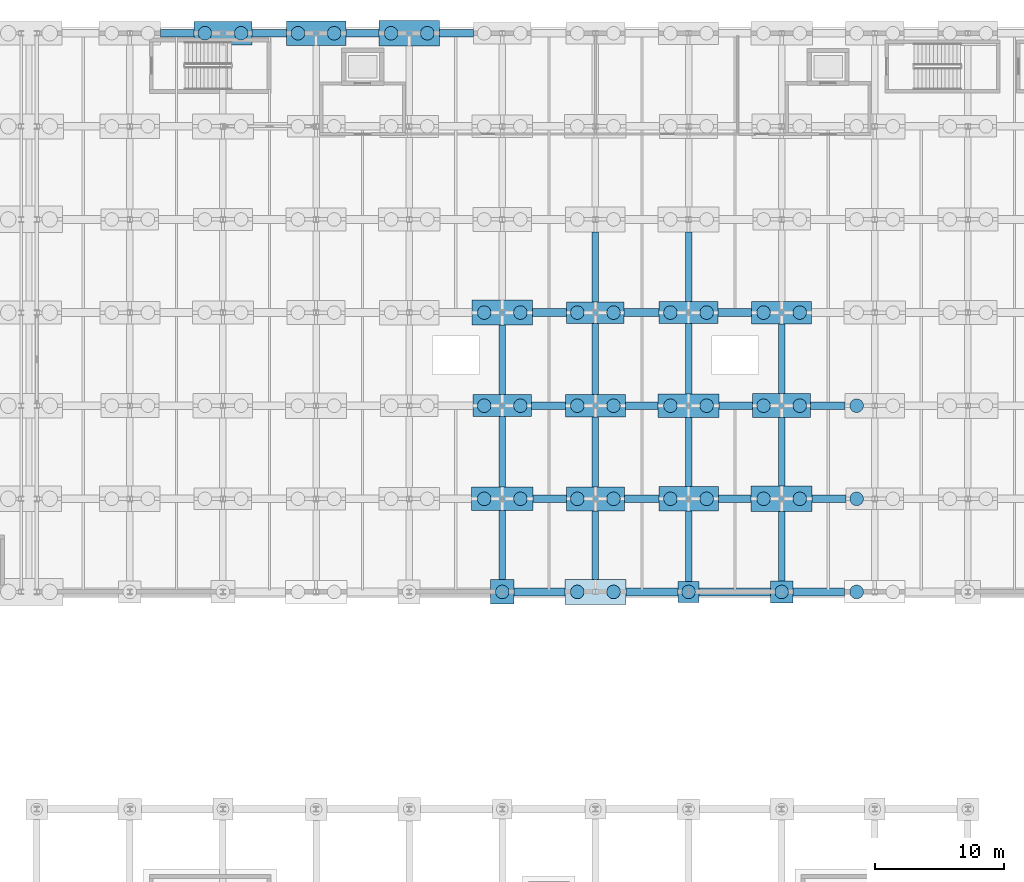
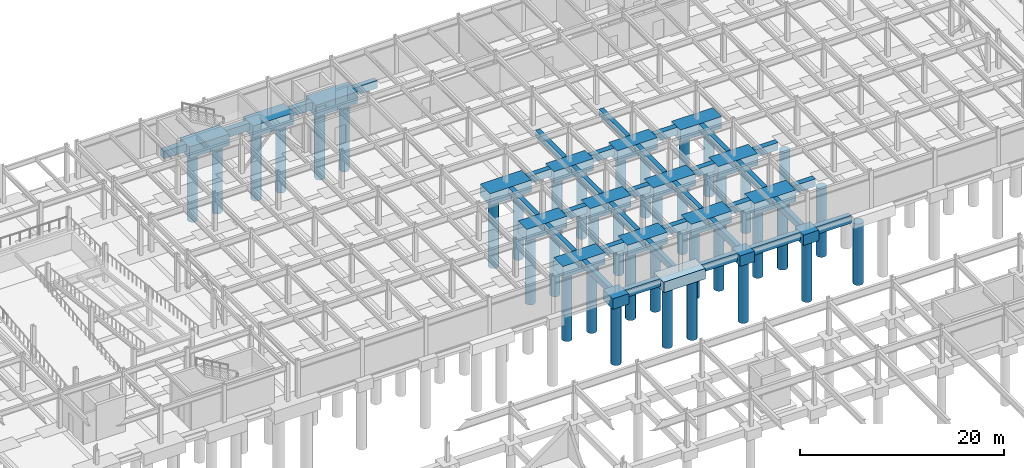
# One storey, part 5 of 54: 52 footings, 38 piles.
"""IFC4 building model written with IfcOpenShell, lengths in metres."""

from ifc_helpers import new_model, si_unit, direction, frame, origin, origin_2d, place, context, subcontext, project, spatial, polyline, rectangle, circle, outline, extrude, material, material_profile, profile_set, type_object, element, save


model = new_model("IFC4")

# Units and contexts
model_context = context("Model", 3, precision=1e-05, world=origin(), true_north=direction((0.0, 1.0)))
body_context = subcontext(model_context, "Body", "Model", "MODEL_VIEW")
ifc_project = project(units=[si_unit("LENGTHUNIT", "METRE"), si_unit("AREAUNIT", "SQUARE_METRE"), si_unit("VOLUMEUNIT", "CUBIC_METRE"), si_unit("PLANEANGLEUNIT", "RADIAN"), si_unit("MASSUNIT", "GRAM", prefix="KILO")], contexts=[model_context])

# Site, building, storey
site_placement = place(None, origin())
site = spatial("IfcSite", under=ifc_project, at=site_placement, CompositionType="ELEMENT")
building_placement = place(site_placement, origin())
building = spatial("IfcBuilding", under=site, at=building_placement, Name="Vaelcorin Mobility Hub", CompositionType="ELEMENT")
storey_placement = place(building_placement, frame((0.0, 0.0, -4.5)))
storey = spatial("IfcBuildingStorey", under=building, at=storey_placement, Name="B1", CompositionType="ELEMENT", Elevation=-4.5)

# Footings
ifc_material = material(Name="Concrete f'c 40 MPa", Category="concrete")
footing_type_1 = type_object("IfcFootingType", Name="FB-500X800", PredefinedType="FOOTING_BEAM", material=ifc_material)
footing_1_placement = place(storey_placement, frame((0.0, 0.0, -0.800048828125)))
element("IfcFooting", 1, at=footing_1_placement, inside=storey, type_object=footing_type_1, Name="Foundation Tie Beam FB-Y-309", PredefinedType="FOOTING_BEAM", context=body_context, shape_type="SweptSolid", body=[
    extrude(outline(polyline([(71.75, 77.75), (72.25, 77.75), (72.25, 83.10009765625), (71.75, 83.10009765625), (71.75, 77.75)])), origin(), (0.0, 0.0, 1.0), 0.800048828125),
])
footing_2_placement = place(storey_placement, frame((0.0, 0.0, -0.800048828125)))
element("IfcFooting", 2, at=footing_2_placement, inside=storey, type_object=footing_type_1, Name="Foundation Tie Beam FB-Y-310", PredefinedType="FOOTING_BEAM", context=body_context, shape_type="SweptSolid", body=[
    extrude(outline(polyline([(71.75, 84.89990234375), (72.25, 84.89990234375), (72.25, 90.35009765625), (71.75, 90.35009765625), (71.75, 84.89990234375)])), origin(), (0.0, 0.0, 1.0), 0.800048828125),
])
footing_3_placement = place(storey_placement, frame((0.0, 0.0, -0.800048828125)))
element("IfcFooting", 3, at=footing_3_placement, inside=storey, type_object=footing_type_1, Name="Foundation Tie Beam FB-Y-311", PredefinedType="FOOTING_BEAM", context=body_context, shape_type="SweptSolid", body=[
    extrude(outline(polyline([(71.75, 92.050048828125), (72.25, 92.050048828125), (72.25, 97.425048828125), (71.75, 97.425048828125), (71.75, 92.050048828125)])), origin(), (0.0, 0.0, 1.0), 0.800048828125),
])
footing_4_placement = place(storey_placement, frame((0.0, 0.0, -0.800048828125)))
element("IfcFooting", 4, at=footing_4_placement, inside=storey, type_object=footing_type_1, Name="Foundation Tie Beam FB-Y-316", PredefinedType="FOOTING_BEAM", context=body_context, shape_type="SweptSolid", body=[
    extrude(outline(polyline([(78.949951171875, 77.77490234375), (79.449951171875, 77.77490234375), (79.449951171875, 83.074951171875), (78.949951171875, 83.074951171875), (78.949951171875, 77.77490234375)])), origin(), (0.0, 0.0, 1.0), 0.800048828125),
])
footing_5_placement = place(storey_placement, frame((0.0, 0.0, -0.800048828125)))
element("IfcFooting", 5, at=footing_5_placement, inside=storey, type_object=footing_type_1, Name="Foundation Tie Beam FB-Y-317", PredefinedType="FOOTING_BEAM", context=body_context, shape_type="SweptSolid", body=[
    extrude(outline(polyline([(78.949951171875, 84.925048828125), (79.449951171875, 84.925048828125), (79.449951171875, 90.324951171875), (78.949951171875, 90.324951171875), (78.949951171875, 84.925048828125)])), origin(), (0.0, 0.0, 1.0), 0.800048828125),
])
footing_6_placement = place(storey_placement, frame((0.0, 0.0, -0.800048828125)))
element("IfcFooting", 6, at=footing_6_placement, inside=storey, type_object=footing_type_1, Name="Foundation Tie Beam FB-Y-318", PredefinedType="FOOTING_BEAM", context=body_context, shape_type="SweptSolid", body=[
    extrude(outline(polyline([(78.949951171875, 92.074951171875), (79.449951171875, 92.074951171875), (79.449951171875, 97.574951171875), (78.949951171875, 97.574951171875), (78.949951171875, 92.074951171875)])), origin(), (0.0, 0.0, 1.0), 0.800048828125),
])
footing_7_placement = place(storey_placement, frame((0.0, 0.0, -0.800048828125)))
element("IfcFooting", 7, at=footing_7_placement, inside=storey, type_object=footing_type_1, Name="Foundation Tie Beam FB-Y-319", PredefinedType="FOOTING_BEAM", context=body_context, shape_type="SweptSolid", body=[
    extrude(outline(polyline([(78.949951171875, 99.22509765625), (79.449951171875, 99.22509765625), (79.449951171875, 104.64990234375), (78.949951171875, 104.64990234375), (78.949951171875, 99.22509765625)])), origin(), (0.0, 0.0, 1.0), 0.800048828125),
])
footing_8_placement = place(storey_placement, frame((0.0, 0.0, -0.800048828125)))
element("IfcFooting", 8, at=footing_8_placement, inside=storey, type_object=footing_type_1, Name="Foundation Tie Beam FB-Y-323", PredefinedType="FOOTING_BEAM", context=body_context, shape_type="SweptSolid", body=[
    extrude(outline(polyline([(86.14990234375, 77.625), (86.64990234375, 77.625), (86.64990234375, 83.050048828125), (86.14990234375, 83.050048828125), (86.14990234375, 77.625)])), origin(), (0.0, 0.0, 1.0), 0.800048828125),
])
footing_9_placement = place(storey_placement, frame((0.0, 0.0, -0.800048828125)))
element("IfcFooting", 9, at=footing_9_placement, inside=storey, type_object=footing_type_1, Name="Foundation Tie Beam FB-Y-324", PredefinedType="FOOTING_BEAM", context=body_context, shape_type="SweptSolid", body=[
    extrude(outline(polyline([(86.14990234375, 84.949951171875), (86.64990234375, 84.949951171875), (86.64990234375, 90.300048828125), (86.14990234375, 90.300048828125), (86.14990234375, 84.949951171875)])), origin(), (0.0, 0.0, 1.0), 0.800048828125),
])
footing_10_placement = place(storey_placement, frame((0.0, 0.0, -0.800048828125)))
element("IfcFooting", 10, at=footing_10_placement, inside=storey, type_object=footing_type_1, Name="Foundation Tie Beam FB-Y-325", PredefinedType="FOOTING_BEAM", context=body_context, shape_type="SweptSolid", body=[
    extrude(outline(polyline([(86.14990234375, 92.10009765625), (86.64990234375, 92.10009765625), (86.64990234375, 97.550048828125), (86.14990234375, 97.550048828125), (86.14990234375, 92.10009765625)])), origin(), (0.0, 0.0, 1.0), 0.800048828125),
])
footing_11_placement = place(storey_placement, frame((0.0, 0.0, -0.800048828125)))
element("IfcFooting", 11, at=footing_11_placement, inside=storey, type_object=footing_type_1, Name="Foundation Tie Beam FB-Y-326", PredefinedType="FOOTING_BEAM", context=body_context, shape_type="SweptSolid", body=[
    extrude(outline(polyline([(86.14990234375, 99.25), (86.64990234375, 99.25), (86.64990234375, 104.625), (86.14990234375, 104.625), (86.14990234375, 99.25)])), origin(), (0.0, 0.0, 1.0), 0.800048828125),
])
footing_12_placement = place(storey_placement, frame((0.0, 0.0, -0.800048828125)))
element("IfcFooting", 12, at=footing_12_placement, inside=storey, type_object=footing_type_1, Name="Foundation Tie Beam FB-Y-330", PredefinedType="FOOTING_BEAM", context=body_context, shape_type="SweptSolid", body=[
    extrude(outline(polyline([(93.35009765625, 77.64990234375), (93.85009765625, 77.64990234375), (93.85009765625, 83.02490234375), (93.35009765625, 83.02490234375), (93.35009765625, 77.64990234375)])), origin(), (0.0, 0.0, 1.0), 0.800048828125),
])
footing_13_placement = place(storey_placement, frame((0.0, 0.0, -0.800048828125)))
element("IfcFooting", 13, at=footing_13_placement, inside=storey, type_object=footing_type_1, Name="Foundation Tie Beam FB-Y-331", PredefinedType="FOOTING_BEAM", context=body_context, shape_type="SweptSolid", body=[
    extrude(outline(polyline([(93.35009765625, 84.97509765625), (93.85009765625, 84.97509765625), (93.85009765625, 90.27490234375), (93.35009765625, 90.27490234375), (93.35009765625, 84.97509765625)])), origin(), (0.0, 0.0, 1.0), 0.800048828125),
])
footing_14_placement = place(storey_placement, frame((0.0, 0.0, -0.800048828125)))
element("IfcFooting", 14, at=footing_14_placement, inside=storey, type_object=footing_type_1, Name="Foundation Tie Beam FB-Y-332", PredefinedType="FOOTING_BEAM", context=body_context, shape_type="SweptSolid", body=[
    extrude(outline(polyline([(93.35009765625, 92.125), (93.85009765625, 92.125), (93.85009765625, 97.52490234375), (93.35009765625, 97.52490234375), (93.35009765625, 92.125)])), origin(), (0.0, 0.0, 1.0), 0.800048828125),
])
footing_type_2 = type_object("IfcFootingType", Name="FB-600X900", PredefinedType="FOOTING_BEAM", material=ifc_material)
footing_15_placement = place(storey_placement, frame((0.0, 0.0, -0.89990234375)))
element("IfcFooting", 15, at=footing_15_placement, inside=storey, type_object=footing_type_2, Name="Foundation Tie Beam FB-X-010", PredefinedType="FOOTING_BEAM", context=body_context, shape_type="SweptSolid", body=[
    extrude(outline(polyline([(72.89990234375, 76.5), (76.85009765625, 76.5), (76.85009765625, 77.10009765625), (72.89990234375, 77.10009765625), (72.89990234375, 76.5)])), origin(), (0.0, 0.0, 1.0), 0.89990234375),
])
footing_16_placement = place(storey_placement, frame((0.0, 0.0, -0.89990234375)))
element("IfcFooting", 16, at=footing_16_placement, inside=storey, type_object=footing_type_2, Name="Foundation Tie Beam FB-X-011", PredefinedType="FOOTING_BEAM", context=body_context, shape_type="SweptSolid", body=[
    extrude(outline(polyline([(81.550048828125, 76.5), (85.574951171875, 76.5), (85.574951171875, 77.10009765625), (81.550048828125, 77.10009765625), (81.550048828125, 76.5)])), origin(), (0.0, 0.0, 1.0), 0.89990234375),
])
footing_17_placement = place(storey_placement, frame((0.0, 0.0, -0.89990234375)))
element("IfcFooting", 17, at=footing_17_placement, inside=storey, type_object=footing_type_2, Name="Foundation Tie Beam FB-X-012", PredefinedType="FOOTING_BEAM", context=body_context, shape_type="SweptSolid", body=[
    extrude(outline(polyline([(87.22509765625, 76.5), (92.72509765625, 76.5), (92.72509765625, 77.10009765625), (87.22509765625, 77.10009765625), (87.22509765625, 76.5)])), origin(), (0.0, 0.0, 1.0), 0.89990234375),
])
footing_18_placement = place(storey_placement, frame((0.0, 0.0, -0.89990234375)))
element("IfcFooting", 18, at=footing_18_placement, inside=storey, type_object=footing_type_2, Name="Foundation Tie Beam FB-X-013", PredefinedType="FOOTING_BEAM", context=body_context, shape_type="SweptSolid", body=[
    extrude(outline(polyline([(94.47509765625, 76.5), (98.47509765625, 76.5), (98.47509765625, 77.10009765625), (94.47509765625, 77.10009765625), (94.47509765625, 76.5)])), origin(), (0.0, 0.0, 1.0), 0.89990234375),
])
footing_19_placement = place(storey_placement, frame((0.0, 0.0, -0.89990234375)))
element("IfcFooting", 19, at=footing_19_placement, inside=storey, type_object=footing_type_2, Name="Foundation Tie Beam FB-X-037", PredefinedType="FOOTING_BEAM", context=body_context, shape_type="SweptSolid", body=[
    extrude(outline(polyline([(74.375, 83.699951171875), (76.949951171875, 83.699951171875), (76.949951171875, 84.300048828125), (74.375, 84.300048828125), (74.375, 83.699951171875)])), origin(), (0.0, 0.0, 1.0), 0.89990234375),
])
footing_20_placement = place(storey_placement, frame((0.0, 0.0, -0.89990234375)))
element("IfcFooting", 20, at=footing_20_placement, inside=storey, type_object=footing_type_2, Name="Foundation Tie Beam FB-X-038", PredefinedType="FOOTING_BEAM", context=body_context, shape_type="SweptSolid", body=[
    extrude(outline(polyline([(81.449951171875, 83.699951171875), (84.10009765625, 83.699951171875), (84.10009765625, 84.300048828125), (81.449951171875, 84.300048828125), (81.449951171875, 83.699951171875)])), origin(), (0.0, 0.0, 1.0), 0.89990234375),
])
footing_21_placement = place(storey_placement, frame((0.0, 0.0, -0.89990234375)))
element("IfcFooting", 21, at=footing_21_placement, inside=storey, type_object=footing_type_2, Name="Foundation Tie Beam FB-X-039", PredefinedType="FOOTING_BEAM", context=body_context, shape_type="SweptSolid", body=[
    extrude(outline(polyline([(88.699951171875, 83.699951171875), (91.25, 83.699951171875), (91.25, 84.300048828125), (88.699951171875, 84.300048828125), (88.699951171875, 83.699951171875)])), origin(), (0.0, 0.0, 1.0), 0.89990234375),
])
footing_22_placement = place(storey_placement, frame((0.0, 0.0, -0.89990234375)))
element("IfcFooting", 22, at=footing_22_placement, inside=storey, type_object=footing_type_2, Name="Foundation Tie Beam FB-X-040", PredefinedType="FOOTING_BEAM", context=body_context, shape_type="SweptSolid", body=[
    extrude(outline(polyline([(95.949951171875, 83.699951171875), (98.574951171875, 83.699951171875), (98.574951171875, 84.300048828125), (95.949951171875, 84.300048828125), (95.949951171875, 83.699951171875)])), origin(), (0.0, 0.0, 1.0), 0.89990234375),
])
footing_23_placement = place(storey_placement, frame((0.0, 0.0, -0.89990234375)))
element("IfcFooting", 23, at=footing_23_placement, inside=storey, type_object=footing_type_2, Name="Foundation Tie Beam FB-X-061", PredefinedType="FOOTING_BEAM", context=body_context, shape_type="SweptSolid", body=[
    extrude(outline(polyline([(74.27490234375, 90.89990234375), (76.875, 90.89990234375), (76.875, 91.5), (74.27490234375, 91.5), (74.27490234375, 90.89990234375)])), origin(), (0.0, 0.0, 1.0), 0.89990234375),
])
footing_24_placement = place(storey_placement, frame((0.0, 0.0, -0.89990234375)))
element("IfcFooting", 24, at=footing_24_placement, inside=storey, type_object=footing_type_2, Name="Foundation Tie Beam FB-X-062", PredefinedType="FOOTING_BEAM", context=body_context, shape_type="SweptSolid", body=[
    extrude(outline(polyline([(81.52490234375, 90.89990234375), (84.02490234375, 90.89990234375), (84.02490234375, 91.5), (81.52490234375, 91.5), (81.52490234375, 90.89990234375)])), origin(), (0.0, 0.0, 1.0), 0.89990234375),
])
footing_25_placement = place(storey_placement, frame((0.0, 0.0, -0.89990234375)))
element("IfcFooting", 25, at=footing_25_placement, inside=storey, type_object=footing_type_2, Name="Foundation Tie Beam FB-X-063", PredefinedType="FOOTING_BEAM", context=body_context, shape_type="SweptSolid", body=[
    extrude(outline(polyline([(88.77490234375, 90.89990234375), (91.35009765625, 90.89990234375), (91.35009765625, 91.5), (88.77490234375, 91.5), (88.77490234375, 90.89990234375)])), origin(), (0.0, 0.0, 1.0), 0.89990234375),
])
footing_26_placement = place(storey_placement, frame((0.0, 0.0, -0.89990234375)))
element("IfcFooting", 26, at=footing_26_placement, inside=storey, type_object=footing_type_2, Name="Foundation Tie Beam FB-X-064", PredefinedType="FOOTING_BEAM", context=body_context, shape_type="SweptSolid", body=[
    extrude(outline(polyline([(95.85009765625, 90.89990234375), (98.5, 90.89990234375), (98.5, 91.5), (95.85009765625, 91.5), (95.85009765625, 90.89990234375)])), origin(), (0.0, 0.0, 1.0), 0.89990234375),
])
footing_27_placement = place(storey_placement, frame((0.0, 0.0, -0.89990234375)))
element("IfcFooting", 27, at=footing_27_placement, inside=storey, type_object=footing_type_2, Name="Foundation Tie Beam FB-X-082", PredefinedType="FOOTING_BEAM", context=body_context, shape_type="SweptSolid", body=[
    extrude(outline(polyline([(74.35009765625, 98.10009765625), (76.97509765625, 98.10009765625), (76.97509765625, 98.699951171875), (74.35009765625, 98.699951171875), (74.35009765625, 98.10009765625)])), origin(), (0.0, 0.0, 1.0), 0.89990234375),
])
footing_28_placement = place(storey_placement, frame((0.0, 0.0, -0.89990234375)))
element("IfcFooting", 28, at=footing_28_placement, inside=storey, type_object=footing_type_2, Name="Foundation Tie Beam FB-X-083", PredefinedType="FOOTING_BEAM", context=body_context, shape_type="SweptSolid", body=[
    extrude(outline(polyline([(81.425048828125, 98.10009765625), (84.125, 98.10009765625), (84.125, 98.699951171875), (81.425048828125, 98.699951171875), (81.425048828125, 98.10009765625)])), origin(), (0.0, 0.0, 1.0), 0.89990234375),
])
footing_29_placement = place(storey_placement, frame((0.0, 0.0, -0.89990234375)))
element("IfcFooting", 29, at=footing_29_placement, inside=storey, type_object=footing_type_2, Name="Foundation Tie Beam FB-X-084", PredefinedType="FOOTING_BEAM", context=body_context, shape_type="SweptSolid", body=[
    extrude(outline(polyline([(88.675048828125, 98.10009765625), (91.27490234375, 98.10009765625), (91.27490234375, 98.699951171875), (88.675048828125, 98.699951171875), (88.675048828125, 98.10009765625)])), origin(), (0.0, 0.0, 1.0), 0.89990234375),
])
footing_30_placement = place(storey_placement, frame((0.0, 0.0, -0.89990234375)))
element("IfcFooting", 30, at=footing_30_placement, inside=storey, type_object=footing_type_2, Name="Foundation Tie Beam FB-X-145", PredefinedType="FOOTING_BEAM", context=body_context, shape_type="SweptSolid", body=[
    extrude(outline(polyline([(45.574951171875, 119.699951171875), (48.14990234375, 119.699951171875), (48.14990234375, 120.300048828125), (45.574951171875, 120.300048828125), (45.574951171875, 119.699951171875)])), origin(), (0.0, 0.0, 1.0), 0.89990234375),
])
footing_31_placement = place(storey_placement, frame((0.0, 0.0, -0.89990234375)))
element("IfcFooting", 31, at=footing_31_placement, inside=storey, type_object=footing_type_2, Name="Foundation Tie Beam FB-X-146", PredefinedType="FOOTING_BEAM", context=body_context, shape_type="SweptSolid", body=[
    extrude(outline(polyline([(52.64990234375, 119.699951171875), (55.300048828125, 119.699951171875), (55.300048828125, 120.300048828125), (52.64990234375, 120.300048828125), (52.64990234375, 119.699951171875)])), origin(), (0.0, 0.0, 1.0), 0.89990234375),
])
footing_32_placement = place(storey_placement, frame((0.0, 0.0, -0.89990234375)))
element("IfcFooting", 32, at=footing_32_placement, inside=storey, type_object=footing_type_2, Name="Foundation Tie Beam FB-X-147", PredefinedType="FOOTING_BEAM", context=body_context, shape_type="SweptSolid", body=[
    extrude(outline(polyline([(59.89990234375, 119.699951171875), (62.449951171875, 119.699951171875), (62.449951171875, 120.300048828125), (59.89990234375, 120.300048828125), (59.89990234375, 119.699951171875)])), origin(), (0.0, 0.0, 1.0), 0.89990234375),
])
footing_33_placement = place(storey_placement, frame((0.0, 0.0, -0.89990234375)))
element("IfcFooting", 33, at=footing_33_placement, inside=storey, type_object=footing_type_2, Name="Foundation Tie Beam FB-X-148", PredefinedType="FOOTING_BEAM", context=body_context, shape_type="SweptSolid", body=[
    extrude(outline(polyline([(67.14990234375, 119.699951171875), (69.77490234375, 119.699951171875), (69.77490234375, 120.300048828125), (67.14990234375, 120.300048828125), (67.14990234375, 119.699951171875)])), origin(), (0.0, 0.0, 1.0), 0.89990234375),
])
footing_type_3 = type_object("IfcFootingType", Name="FTG-PC-01", PredefinedType="PILE_CAP", material=ifc_material)
for number, where, z_axis, x_axis, name in (
    (34, (57.60009765625, 120.0, -1.39990234375), (0.0, 0.0, 1.0), (1.0, 0.0, 0.0), "Pile Cap PC-01 057"),
    (35, (86.39990234375, 84.0, -1.39990234375), (0.0, 0.0, 1.0), (1.0, 0.0, 0.0), "Pile Cap PC-01 092"),
):
    element("IfcFooting", number, at=place(storey_placement, frame(where, z_axis=z_axis, x_axis=x_axis)), inside=storey, type_object=footing_type_3, Name=name, PredefinedType="PILE_CAP", context=body_context, shape_type="SweptSolid", body=[
        extrude(rectangle(XDim=4.60009765625, YDim=1.89990234375, at=origin_2d()), origin(), (0.0, 0.0, 1.0), 1.39990234375),
    ])
footing_type_4 = type_object("IfcFootingType", Name="FTG-PC-02", PredefinedType="PILE_CAP", material=ifc_material)
for number, where, z_axis, x_axis, name in (
    (36, (72.0, 84.0, -1.39990234375), (0.0, 0.0, 1.0), (1.0, 0.0, 0.0), "Pile Cap PC-02 072"),
    (37, (86.39990234375, 91.199951171875, -1.39990234375), (0.0, 0.0, 1.0), (1.0, 0.0, 0.0), "Pile Cap PC-02 093"),
):
    element("IfcFooting", number, at=place(storey_placement, frame(where, z_axis=z_axis, x_axis=x_axis)), inside=storey, type_object=footing_type_4, Name=name, PredefinedType="PILE_CAP", context=body_context, shape_type="SweptSolid", body=[
        extrude(rectangle(XDim=4.75, YDim=1.800048828125, at=origin_2d()), origin(), (0.0, 0.0, 1.0), 1.39990234375),
    ])
footing_type_5 = type_object("IfcFootingType", Name="FTG-PC-03", PredefinedType="PILE_CAP", material=ifc_material)
for number, where, z_axis, x_axis, name in (
    (38, (72.0, 91.199951171875, -1.39990234375), (0.0, 0.0, 1.0), (1.0, 0.0, 0.0), "Pile Cap PC-03 073"),
    (39, (86.39990234375, 98.39990234375, -1.39990234375), (0.0, 0.0, 1.0), (1.0, 0.0, 0.0), "Pile Cap PC-03 094"),
):
    element("IfcFooting", number, at=place(storey_placement, frame(where, z_axis=z_axis, x_axis=x_axis)), inside=storey, type_object=footing_type_5, Name=name, PredefinedType="PILE_CAP", context=body_context, shape_type="SweptSolid", body=[
        extrude(rectangle(XDim=4.550048828125, YDim=1.699951171875, at=origin_2d()), origin(), (0.0, 0.0, 1.0), 1.39990234375),
    ])
footing_type_6 = type_object("IfcFootingType", Name="FTG-PC-04", PredefinedType="PILE_CAP", material=ifc_material)
for number, where, z_axis, x_axis, name in (
    (40, (64.800048828125, 120.0, -1.39990234375), (0.0, 0.0, 1.0), (1.0, 0.0, 0.0), "Pile Cap PC-04 067"),
    (41, (72.0, 98.39990234375, -1.39990234375), (0.0, 0.0, 1.0), (1.0, 0.0, 0.0), "Pile Cap PC-04 074"),
    (42, (93.60009765625, 84.0, -1.39990234375), (0.0, 0.0, 1.0), (1.0, 0.0, 0.0), "Pile Cap PC-04 102"),
):
    element("IfcFooting", number, at=place(storey_placement, frame(where, z_axis=z_axis, x_axis=x_axis)), inside=storey, type_object=footing_type_6, Name=name, PredefinedType="PILE_CAP", context=body_context, shape_type="SweptSolid", body=[
        extrude(rectangle(XDim=4.699951171875, YDim=1.949951171875, at=origin_2d()), origin(), (0.0, 0.0, 1.0), 1.39990234375),
    ])
footing_type_7 = type_object("IfcFootingType", Name="FTG-PC-05", PredefinedType="PILE_CAP", material=ifc_material)
for number, where, z_axis, x_axis, name in (
    (43, (50.39990234375, 120.0, -1.39990234375), (0.0, 0.0, 1.0), (1.0, 0.0, 0.0), "Pile Cap PC-05 047"),
    (44, (79.199951171875, 84.0, -1.39990234375), (0.0, 0.0, 1.0), (1.0, 0.0, 0.0), "Pile Cap PC-05 082"),
    (45, (93.60009765625, 91.199951171875, -1.39990234375), (0.0, 0.0, 1.0), (1.0, 0.0, 0.0), "Pile Cap PC-05 103"),
):
    element("IfcFooting", number, at=place(storey_placement, frame(where, z_axis=z_axis, x_axis=x_axis)), inside=storey, type_object=footing_type_7, Name=name, PredefinedType="PILE_CAP", context=body_context, shape_type="SweptSolid", body=[
        extrude(rectangle(XDim=4.5, YDim=1.85009765625, at=origin_2d()), origin(), (0.0, 0.0, 1.0), 1.39990234375),
    ])
footing_type_8 = type_object("IfcFootingType", Name="FTG-PC-06", PredefinedType="PILE_CAP", material=ifc_material)
for number, where, z_axis, x_axis, name in (
    (46, (79.199951171875, 91.199951171875, -1.39990234375), (0.0, 0.0, 1.0), (1.0, 0.0, 0.0), "Pile Cap PC-06 083"),
    (47, (93.60009765625, 98.39990234375, -1.39990234375), (0.0, 0.0, 1.0), (1.0, 0.0, 0.0), "Pile Cap PC-06 104"),
):
    element("IfcFooting", number, at=place(storey_placement, frame(where, z_axis=z_axis, x_axis=x_axis)), inside=storey, type_object=footing_type_8, Name=name, PredefinedType="PILE_CAP", context=body_context, shape_type="SweptSolid", body=[
        extrude(rectangle(XDim=4.64990234375, YDim=1.75, at=origin_2d()), origin(), (0.0, 0.0, 1.0), 1.39990234375),
    ])
footing_type_9 = type_object("IfcFootingType", Name="FTG-PC-07", PredefinedType="PILE_CAP", material=ifc_material)
footing_34_placement = place(storey_placement, frame((79.199951171875, 98.39990234375, -1.39990234375), z_axis=(0.0, 0.0, 1.0), x_axis=(1.0, 0.0, 0.0)))
element("IfcFooting", 48, at=footing_34_placement, inside=storey, type_object=footing_type_9, Name="Pile Cap PC-07 084", PredefinedType="PILE_CAP", context=body_context, shape_type="SweptSolid", body=[
    extrude(rectangle(XDim=4.449951171875, YDim=1.64990234375, at=origin_2d()), origin(), (0.0, 0.0, 1.0), 1.39990234375),
])
footing_type_10 = type_object("IfcFootingType", Name="FTG-PC-21", PredefinedType="PILE_CAP", material=ifc_material)
footing_35_placement = place(storey_placement, frame((93.60009765625, 76.800048828125, -1.25), z_axis=(0.0, 0.0, 1.0), x_axis=(1.0, 0.0, 0.0)))
element("IfcFooting", 49, at=footing_35_placement, inside=storey, type_object=footing_type_10, Name="Pile Cap PC-21 101", PredefinedType="PILE_CAP", context=body_context, shape_type="SweptSolid", body=[
    extrude(rectangle(XDim=1.75, YDim=1.699951171875, at=origin_2d()), origin(), (0.0, 0.0, 1.0), 1.25),
])
footing_type_11 = type_object("IfcFootingType", Name="FTG-PC-26", PredefinedType="PILE_CAP", material=ifc_material)
footing_36_placement = place(storey_placement, frame((72.0, 76.800048828125, -1.25), z_axis=(0.0, 0.0, 1.0), x_axis=(1.0, 0.0, 0.0)))
element("IfcFooting", 50, at=footing_36_placement, inside=storey, type_object=footing_type_11, Name="Pile Cap PC-26 071", PredefinedType="PILE_CAP", context=body_context, shape_type="SweptSolid", body=[
    extrude(rectangle(XDim=1.800048828125, YDim=1.89990234375, at=origin_2d()), origin(), (0.0, 0.0, 1.0), 1.25),
])
footing_type_12 = type_object("IfcFootingType", Name="FTG-PC-27", PredefinedType="PILE_CAP", material=ifc_material)
footing_37_placement = place(storey_placement, frame((79.199951171875, 76.800048828125, -1.25), z_axis=(0.0, 0.0, 1.0), x_axis=(1.0, 0.0, 0.0)))
element("IfcFooting", 51, at=footing_37_placement, inside=storey, type_object=footing_type_12, Name="Pile Cap PC-27 081", PredefinedType="PILE_CAP", context=body_context, shape_type="SweptSolid", body=[
    extrude(rectangle(XDim=4.699951171875, YDim=1.949951171875, at=origin_2d()), origin(), (0.0, 0.0, 1.0), 1.25),
])
footing_type_13 = type_object("IfcFootingType", Name="FTG-PC-28", PredefinedType="PILE_CAP", material=ifc_material)
footing_38_placement = place(storey_placement, frame((86.39990234375, 76.800048828125, -1.25), z_axis=(0.0, 0.0, 1.0), x_axis=(1.0, 0.0, 0.0)))
element("IfcFooting", 52, at=footing_38_placement, inside=storey, type_object=footing_type_13, Name="Pile Cap PC-28 091", PredefinedType="PILE_CAP", context=body_context, shape_type="SweptSolid", body=[
    extrude(rectangle(XDim=1.64990234375, YDim=1.64990234375, at=origin_2d()), origin(), (0.0, 0.0, 1.0), 1.25),
])

# Piles
ifc_material_profile = material_profile(ifc_material, circle(Radius=0.52490234375, at=origin_2d()), Name="BP-D1050")
ifc_profile_set = profile_set([ifc_material_profile], Name="Concrete f'c 40 MPa")
pile_type = type_object("IfcPileType", Name="PILE-D1050", PredefinedType="BORED", material=ifc_profile_set)
for number, where, z_axis, x_axis, name in (
    (53, (49.0, 120.0, -1.300048828125), (0.0, 0.0, -1.0), (1.0, 0.0, 0.0), "Bored Pile CAP-047-P1"),
    (54, (51.800048828125, 120.0, -1.300048828125), (0.0, 0.0, -1.0), (1.0, 0.0, 0.0), "Bored Pile CAP-047-P2"),
    (55, (56.199951171875, 120.0, -1.300048828125), (0.0, 0.0, -1.0), (1.0, 0.0, 0.0), "Bored Pile CAP-057-P1"),
    (56, (59.0, 120.0, -1.300048828125), (0.0, 0.0, -1.0), (1.0, 0.0, 0.0), "Bored Pile CAP-057-P2"),
    (57, (63.39990234375, 120.0, -1.300048828125), (0.0, 0.0, -1.0), (1.0, 0.0, 0.0), "Bored Pile CAP-067-P1"),
    (58, (66.199951171875, 120.0, -1.300048828125), (0.0, 0.0, -1.0), (1.0, 0.0, 0.0), "Bored Pile CAP-067-P2"),
):
    element("IfcPile", number, at=place(storey_placement, frame(where, z_axis=z_axis, x_axis=x_axis)), inside=storey, type_object=pile_type, Name=name, PredefinedType="BORED", context=body_context, shape_type="SweptSolid", body=[
        extrude(circle(Radius=0.52490234375, at=origin_2d()), origin(), (0.0, 0.0, 1.0), 8.199951171875),
    ])
pile_1_placement = place(storey_placement, frame((72.0, 76.800048828125, -1.14990234375), z_axis=(0.0, 0.0, -1.0), x_axis=(1.0, 0.0, 0.0)))
element("IfcPile", 59, at=pile_1_placement, inside=storey, type_object=pile_type, Name="Bored Pile CAP-071-P1", PredefinedType="BORED", context=body_context, shape_type="SweptSolid", body=[
    extrude(circle(Radius=0.52490234375, at=origin_2d()), origin(), (0.0, 0.0, 1.0), 7.35009765625),
])
for number, where, z_axis, x_axis, name in (
    (60, (70.60009765625, 84.0, -1.300048828125), (0.0, 0.0, -1.0), (1.0, 0.0, 0.0), "Bored Pile CAP-072-P1"),
    (61, (73.39990234375, 84.0, -1.300048828125), (0.0, 0.0, -1.0), (1.0, 0.0, 0.0), "Bored Pile CAP-072-P2"),
    (62, (70.60009765625, 91.199951171875, -1.300048828125), (0.0, 0.0, -1.0), (1.0, 0.0, 0.0), "Bored Pile CAP-073-P1"),
    (63, (73.39990234375, 91.199951171875, -1.300048828125), (0.0, 0.0, -1.0), (1.0, 0.0, 0.0), "Bored Pile CAP-073-P2"),
    (64, (70.60009765625, 98.39990234375, -1.300048828125), (0.0, 0.0, -1.0), (1.0, 0.0, 0.0), "Bored Pile CAP-074-P1"),
    (65, (73.39990234375, 98.39990234375, -1.300048828125), (0.0, 0.0, -1.0), (1.0, 0.0, 0.0), "Bored Pile CAP-074-P2"),
):
    element("IfcPile", number, at=place(storey_placement, frame(where, z_axis=z_axis, x_axis=x_axis)), inside=storey, type_object=pile_type, Name=name, PredefinedType="BORED", context=body_context, shape_type="SweptSolid", body=[
        extrude(circle(Radius=0.52490234375, at=origin_2d()), origin(), (0.0, 0.0, 1.0), 8.199951171875),
    ])
for number, where, z_axis, x_axis, name in (
    (66, (77.800048828125, 76.800048828125, -1.14990234375), (0.0, 0.0, -1.0), (1.0, 0.0, 0.0), "Bored Pile CAP-081-P1"),
    (67, (80.60009765625, 76.800048828125, -1.14990234375), (0.0, 0.0, -1.0), (1.0, 0.0, 0.0), "Bored Pile CAP-081-P2"),
):
    element("IfcPile", number, at=place(storey_placement, frame(where, z_axis=z_axis, x_axis=x_axis)), inside=storey, type_object=pile_type, Name=name, PredefinedType="BORED", context=body_context, shape_type="SweptSolid", body=[
        extrude(circle(Radius=0.52490234375, at=origin_2d()), origin(), (0.0, 0.0, 1.0), 7.35009765625),
    ])
for number, where, z_axis, x_axis, name in (
    (68, (77.800048828125, 84.0, -1.300048828125), (0.0, 0.0, -1.0), (1.0, 0.0, 0.0), "Bored Pile CAP-082-P1"),
    (69, (80.60009765625, 84.0, -1.300048828125), (0.0, 0.0, -1.0), (1.0, 0.0, 0.0), "Bored Pile CAP-082-P2"),
    (70, (77.800048828125, 91.199951171875, -1.300048828125), (0.0, 0.0, -1.0), (1.0, 0.0, 0.0), "Bored Pile CAP-083-P1"),
    (71, (80.60009765625, 91.199951171875, -1.300048828125), (0.0, 0.0, -1.0), (1.0, 0.0, 0.0), "Bored Pile CAP-083-P2"),
    (72, (77.800048828125, 98.39990234375, -1.300048828125), (0.0, 0.0, -1.0), (1.0, 0.0, 0.0), "Bored Pile CAP-084-P1"),
    (73, (80.60009765625, 98.39990234375, -1.300048828125), (0.0, 0.0, -1.0), (1.0, 0.0, 0.0), "Bored Pile CAP-084-P2"),
):
    element("IfcPile", number, at=place(storey_placement, frame(where, z_axis=z_axis, x_axis=x_axis)), inside=storey, type_object=pile_type, Name=name, PredefinedType="BORED", context=body_context, shape_type="SweptSolid", body=[
        extrude(circle(Radius=0.52490234375, at=origin_2d()), origin(), (0.0, 0.0, 1.0), 8.199951171875),
    ])
pile_2_placement = place(storey_placement, frame((86.39990234375, 76.800048828125, -1.14990234375), z_axis=(0.0, 0.0, -1.0), x_axis=(1.0, 0.0, 0.0)))
element("IfcPile", 74, at=pile_2_placement, inside=storey, type_object=pile_type, Name="Bored Pile CAP-091-P1", PredefinedType="BORED", context=body_context, shape_type="SweptSolid", body=[
    extrude(circle(Radius=0.52490234375, at=origin_2d()), origin(), (0.0, 0.0, 1.0), 7.35009765625),
])
for number, where, z_axis, x_axis, name in (
    (75, (85.0, 84.0, -1.300048828125), (0.0, 0.0, -1.0), (1.0, 0.0, 0.0), "Bored Pile CAP-092-P1"),
    (76, (87.800048828125, 84.0, -1.300048828125), (0.0, 0.0, -1.0), (1.0, 0.0, 0.0), "Bored Pile CAP-092-P2"),
    (77, (85.0, 91.199951171875, -1.300048828125), (0.0, 0.0, -1.0), (1.0, 0.0, 0.0), "Bored Pile CAP-093-P1"),
    (78, (87.800048828125, 91.199951171875, -1.300048828125), (0.0, 0.0, -1.0), (1.0, 0.0, 0.0), "Bored Pile CAP-093-P2"),
    (79, (85.0, 98.39990234375, -1.300048828125), (0.0, 0.0, -1.0), (1.0, 0.0, 0.0), "Bored Pile CAP-094-P1"),
    (80, (87.800048828125, 98.39990234375, -1.300048828125), (0.0, 0.0, -1.0), (1.0, 0.0, 0.0), "Bored Pile CAP-094-P2"),
):
    element("IfcPile", number, at=place(storey_placement, frame(where, z_axis=z_axis, x_axis=x_axis)), inside=storey, type_object=pile_type, Name=name, PredefinedType="BORED", context=body_context, shape_type="SweptSolid", body=[
        extrude(circle(Radius=0.52490234375, at=origin_2d()), origin(), (0.0, 0.0, 1.0), 8.199951171875),
    ])
pile_3_placement = place(storey_placement, frame((93.60009765625, 76.800048828125, -1.14990234375), z_axis=(0.0, 0.0, -1.0), x_axis=(1.0, 0.0, 0.0)))
element("IfcPile", 81, at=pile_3_placement, inside=storey, type_object=pile_type, Name="Bored Pile CAP-101-P1", PredefinedType="BORED", context=body_context, shape_type="SweptSolid", body=[
    extrude(circle(Radius=0.52490234375, at=origin_2d()), origin(), (0.0, 0.0, 1.0), 7.35009765625),
])
for number, where, z_axis, x_axis, name in (
    (82, (92.199951171875, 84.0, -1.300048828125), (0.0, 0.0, -1.0), (1.0, 0.0, 0.0), "Bored Pile CAP-102-P1"),
    (83, (95.0, 84.0, -1.300048828125), (0.0, 0.0, -1.0), (1.0, 0.0, 0.0), "Bored Pile CAP-102-P2"),
    (84, (92.199951171875, 91.199951171875, -1.300048828125), (0.0, 0.0, -1.0), (1.0, 0.0, 0.0), "Bored Pile CAP-103-P1"),
    (85, (95.0, 91.199951171875, -1.300048828125), (0.0, 0.0, -1.0), (1.0, 0.0, 0.0), "Bored Pile CAP-103-P2"),
    (86, (92.199951171875, 98.39990234375, -1.300048828125), (0.0, 0.0, -1.0), (1.0, 0.0, 0.0), "Bored Pile CAP-104-P1"),
    (87, (95.0, 98.39990234375, -1.300048828125), (0.0, 0.0, -1.0), (1.0, 0.0, 0.0), "Bored Pile CAP-104-P2"),
):
    element("IfcPile", number, at=place(storey_placement, frame(where, z_axis=z_axis, x_axis=x_axis)), inside=storey, type_object=pile_type, Name=name, PredefinedType="BORED", context=body_context, shape_type="SweptSolid", body=[
        extrude(circle(Radius=0.52490234375, at=origin_2d()), origin(), (0.0, 0.0, 1.0), 8.199951171875),
    ])
pile_4_placement = place(storey_placement, frame((99.39990234375, 76.800048828125, -1.14990234375), z_axis=(0.0, 0.0, -1.0), x_axis=(1.0, 0.0, 0.0)))
element("IfcPile", 88, at=pile_4_placement, inside=storey, type_object=pile_type, Name="Bored Pile CAP-111-P1", PredefinedType="BORED", context=body_context, shape_type="SweptSolid", body=[
    extrude(circle(Radius=0.52490234375, at=origin_2d()), origin(), (0.0, 0.0, 1.0), 7.35009765625),
])
for number, where, z_axis, x_axis, name in (
    (89, (99.39990234375, 84.0, -1.300048828125), (0.0, 0.0, -1.0), (1.0, 0.0, 0.0), "Bored Pile CAP-112-P1"),
    (90, (99.39990234375, 91.199951171875, -1.300048828125), (0.0, 0.0, -1.0), (1.0, 0.0, 0.0), "Bored Pile CAP-113-P1"),
):
    element("IfcPile", number, at=place(storey_placement, frame(where, z_axis=z_axis, x_axis=x_axis)), inside=storey, type_object=pile_type, Name=name, PredefinedType="BORED", context=body_context, shape_type="SweptSolid", body=[
        extrude(circle(Radius=0.52490234375, at=origin_2d()), origin(), (0.0, 0.0, 1.0), 8.199951171875),
    ])

save(model, "model.ifc")
